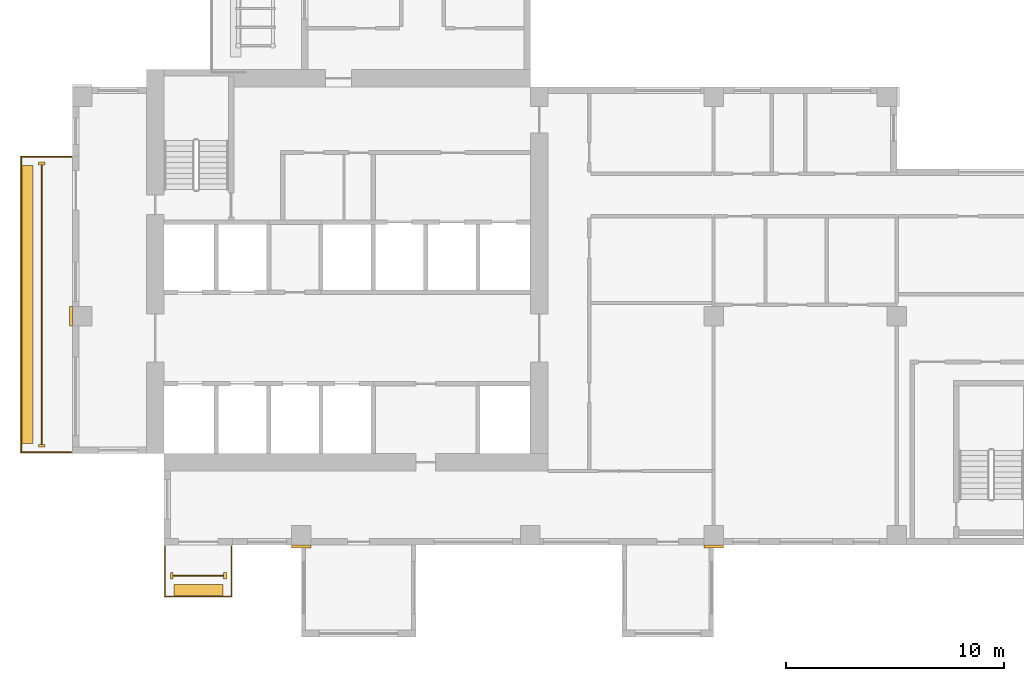
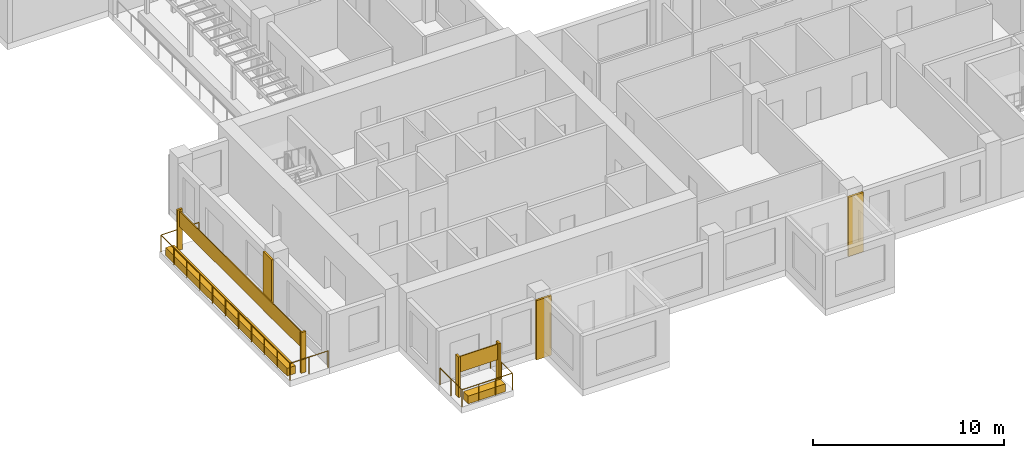
# One storey, part 11 of 14: 11 coverings, 2 railings.
"""IFC4 building model written with IfcOpenShell, lengths in metres."""

from ifc_helpers import new_model, si_unit, direction, frame, origin, origin_2d, place, context, subcontext, project, spatial, rectangle, circle, extrude, source, transform, mapped, material, type_object, element, save


model = new_model("IFC4")

# Units and contexts
model_context = context("Model", 3, precision=1e-05, world=origin(), true_north=direction((0.0, 1.0)))
body_context = subcontext(model_context, "Body", "Model", "MODEL_VIEW")
ifc_project = project(units=[si_unit("LENGTHUNIT", "METRE"), si_unit("AREAUNIT", "SQUARE_METRE"), si_unit("VOLUMEUNIT", "CUBIC_METRE"), si_unit("PLANEANGLEUNIT", "RADIAN"), si_unit("MASSUNIT", "GRAM", prefix="KILO")], contexts=[model_context])

# Site, building, storey
site_placement = place(None, origin())
site = spatial("IfcSite", under=ifc_project, at=site_placement, CompositionType="ELEMENT")
building_placement = place(site_placement, origin())
building = spatial("IfcBuilding", under=site, at=building_placement, Name="Aurelian Terraces", CompositionType="ELEMENT")
storey_placement = place(building_placement, frame((0.0, 0.0, 185.4)))
storey = spatial("IfcBuildingStorey", under=building, at=storey_placement, Name="L40", CompositionType="ELEMENT", Elevation=185.4)

# Coverings
ifc_material_1 = material(Name="Terracotta rainscreen cladding relief", Category="masonry")
covering_type_1 = type_object("IfcCoveringType", Name="FIN-TC", PredefinedType="CLADDING", material=ifc_material_1)
shared_shape_1 = source(origin(), body_context, "Body", "SweptSolid", [
    extrude(rectangle(XDim=0.3, YDim=0.12, at=origin_2d()), origin(), (0.0, 0.0, 1.0), 2.6),
])
for number, where, z_axis, x_axis, name in (
    (1, (-1.4, 17.5, 0.0), (0.0, 0.0, 1.0), (1.0, 0.0, 0.0), "FIN L40 L40-F22-39.1"),
    (2, (-1.4, 4.55, 0.0), (0.0, 0.0, 1.0), (1.0, 0.0, 0.0), "FIN L40 L40-F22-39.2"),
):
    element("IfcCovering", number, at=place(storey_placement, frame(where, z_axis=z_axis, x_axis=x_axis)), inside=storey, type_object=covering_type_1, Name=name, PredefinedType="CLADDING", context=body_context, shape_type="MappedRepresentation", body=[
        mapped(shared_shape_1, transform((0.0, 0.0, 0.0), scale=1.0)),
    ])
shared_shape_2 = source(origin(), body_context, "Body", "SweptSolid", [
    extrude(rectangle(XDim=0.12, YDim=0.3, at=origin_2d()), origin(), (0.0, 0.0, 1.0), 2.6),
])
for number, where, z_axis, x_axis, name in (
    (3, (4.55, -1.4, 0.0), (0.0, 0.0, 1.0), (1.0, 0.0, 0.0), "FIN L40 L40-F01-01.1"),
    (4, (7.0, -1.4, 0.0), (0.0, 0.0, 1.0), (1.0, 0.0, 0.0), "FIN L40 L40-F01-01.2"),
):
    element("IfcCovering", number, at=place(storey_placement, frame(where, z_axis=z_axis, x_axis=x_axis)), inside=storey, type_object=covering_type_1, Name=name, PredefinedType="CLADDING", context=body_context, shape_type="MappedRepresentation", body=[
        mapped(shared_shape_2, transform((0.0, 0.0, 0.0), scale=1.0)),
    ])

# Railing
ifc_material_2 = material(Name="Anodised aluminium", Category="aluminium")
railing_type = type_object("IfcRailingType", Name="GUARD-1100", PredefinedType="GUARDRAIL", material=ifc_material_2)
shared_shape_3 = source(origin(), body_context, "Body", "SweptSolid", [
    extrude(circle(Radius=0.024, at=origin_2d()), frame((0.0, 0.0, 1.076), z_axis=(-1.0, 0.0, 0.0), x_axis=(0.0, -1.0, 0.0)), (0.0, 0.0, 1.0), 2.3),
    extrude(circle(Radius=0.024, at=origin_2d()), frame((-2.3, 0.0, 1.076), z_axis=(0.0, -1.0, 0.0), x_axis=(1.0, 0.0, 0.0)), (0.0, 0.0, 1.0), 13.55),
    extrude(circle(Radius=0.024, at=origin_2d()), frame((-2.3, -13.55, 1.076), z_axis=(1.0, 0.0, 0.0), x_axis=(0.0, 1.0, 0.0)), (0.0, 0.0, 1.0), 2.3),
    extrude(circle(Radius=0.021, at=origin_2d()), origin(), (0.0, 0.0, 1.0), 1.052),
    extrude(circle(Radius=0.021, at=origin_2d()), frame((-1.15, 0.0, 0.0)), (0.0, 0.0, 1.0), 1.052),
    extrude(circle(Radius=0.021, at=origin_2d()), frame((-2.3, 0.0, 0.0)), (0.0, 0.0, 1.0), 1.052),
    extrude(circle(Radius=0.021, at=origin_2d()), frame((-2.3, -1.355, 0.0)), (0.0, 0.0, 1.0), 1.052),
    extrude(circle(Radius=0.021, at=origin_2d()), frame((-2.3, -2.71, 0.0)), (0.0, 0.0, 1.0), 1.052),
    extrude(circle(Radius=0.021, at=origin_2d()), frame((-2.3, -4.065, 0.0)), (0.0, 0.0, 1.0), 1.052),
    extrude(circle(Radius=0.021, at=origin_2d()), frame((-2.3, -5.42, 0.0)), (0.0, 0.0, 1.0), 1.052),
    extrude(circle(Radius=0.021, at=origin_2d()), frame((-2.3, -6.775, 0.0)), (0.0, 0.0, 1.0), 1.052),
    extrude(circle(Radius=0.021, at=origin_2d()), frame((-2.3, -8.13, 0.0)), (0.0, 0.0, 1.0), 1.052),
    extrude(circle(Radius=0.021, at=origin_2d()), frame((-2.3, -9.485, 0.0)), (0.0, 0.0, 1.0), 1.052),
    extrude(circle(Radius=0.021, at=origin_2d()), frame((-2.3, -10.84, 0.0)), (0.0, 0.0, 1.0), 1.052),
    extrude(circle(Radius=0.021, at=origin_2d()), frame((-2.3, -12.195, 0.0)), (0.0, 0.0, 1.0), 1.052),
    extrude(circle(Radius=0.021, at=origin_2d()), frame((-2.3, -13.55, 0.0)), (0.0, 0.0, 1.0), 1.052),
    extrude(circle(Radius=0.021, at=origin_2d()), frame((-1.15, -13.55, 0.0)), (0.0, 0.0, 1.0), 1.052),
    extrude(circle(Radius=0.021, at=origin_2d()), frame((0.0, -13.55, 0.0)), (0.0, 0.0, 1.0), 1.052),
])
railing_1_placement = place(storey_placement, frame((-0.05, 17.8, 0.0)))
element("IfcRailing", 5, at=railing_1_placement, inside=storey, type_object=railing_type, Name="Balcony guard L40 F22.39", PredefinedType="GUARDRAIL", context=body_context, shape_type="MappedRepresentation", body=[
    mapped(shared_shape_3, transform((0.0, 0.0, 0.0), scale=1.0)),
])

# Coverings
ifc_material_3 = material(Name="Terracotta planter with planting soil", Category="masonry")
covering_type_2 = type_object("IfcCoveringType", Name="PLANTER-TROUGH", PredefinedType="USERDEFINED", material=ifc_material_3)
shared_shape_4 = source(origin(), body_context, "Body", "SweptSolid", [
    extrude(rectangle(XDim=0.5, YDim=12.75, at=origin_2d()), origin(), (0.0, 0.0, 1.0), 0.5),
])
covering_1_placement = place(storey_placement, frame((-2.05, 11.025, 0.0), z_axis=(0.0, 0.0, 1.0), x_axis=(1.0, 0.0, 0.0)))
element("IfcCovering", 6, at=covering_1_placement, inside=storey, type_object=covering_type_2, Name="PLANTER L40 L40-F22-39", ObjectType="PLANTER", PredefinedType="USERDEFINED", context=body_context, shape_type="MappedRepresentation", body=[
    mapped(shared_shape_4, transform((0.0, 0.0, 0.0), scale=1.0)),
])
ifc_material_4 = material(Name="Terracotta rainscreen cladding", Category="masonry")
covering_type_3 = type_object("IfcCoveringType", Name="SCREEN-TC", PredefinedType="CLADDING", material=ifc_material_4)
shared_shape_5 = source(origin(), body_context, "Body", "SweptSolid", [
    extrude(rectangle(XDim=0.06, YDim=12.83, at=origin_2d()), origin(), (0.0, 0.0, 1.0), 1.0),
])
covering_2_placement = place(storey_placement, frame((-1.4, 11.025, 1.5), z_axis=(0.0, 0.0, 1.0), x_axis=(1.0, 0.0, 0.0)))
element("IfcCovering", 7, at=covering_2_placement, inside=storey, type_object=covering_type_3, Name="SCREEN L40 L40-F22-39", PredefinedType="CLADDING", context=body_context, shape_type="MappedRepresentation", body=[
    mapped(shared_shape_5, transform((0.0, 0.0, 0.0), scale=1.0)),
])
covering_type_4 = type_object("IfcCoveringType", Name="BAGUETTE-TC", PredefinedType="CLADDING", material=ifc_material_1)
shared_shape_6 = source(origin(), body_context, "Body", "SweptSolid", [
    extrude(rectangle(XDim=0.9, YDim=0.12, at=origin_2d()), origin(), (0.0, 0.0, 1.0), 3.8),
])
for number, where, z_axis, x_axis, name in (
    (8, (10.5, -0.06, -0.4), (0.0, 0.0, 1.0), (1.0, 0.0, 0.0), "BAGUETTE pier L40 1"),
    (9, (29.4, -0.06, -0.4), (0.0, 0.0, 1.0), (1.0, 0.0, 0.0), "BAGUETTE pier L40 2"),
):
    element("IfcCovering", number, at=place(storey_placement, frame(where, z_axis=z_axis, x_axis=x_axis)), inside=storey, type_object=covering_type_4, Name=name, PredefinedType="CLADDING", context=body_context, shape_type="MappedRepresentation", body=[
        mapped(shared_shape_6, transform((0.0, 0.0, 0.0), scale=1.0)),
    ])
shared_shape_7 = source(origin(), body_context, "Body", "SweptSolid", [
    extrude(rectangle(XDim=0.12, YDim=0.9, at=origin_2d()), origin(), (0.0, 0.0, 1.0), 3.8),
])
covering_3_placement = place(storey_placement, frame((-0.06, 10.5, -0.4), z_axis=(0.0, 0.0, 1.0), x_axis=(1.0, 0.0, 0.0)))
element("IfcCovering", 10, at=covering_3_placement, inside=storey, type_object=covering_type_4, Name="BAGUETTE pier L40 4", PredefinedType="CLADDING", context=body_context, shape_type="MappedRepresentation", body=[
    mapped(shared_shape_7, transform((0.0, 0.0, 0.0), scale=1.0)),
])

# Railing
shared_shape_8 = source(origin(), body_context, "Body", "SweptSolid", [
    extrude(circle(Radius=0.024, at=origin_2d()), frame((0.0, 0.0, 1.076), z_axis=(0.0, -1.0, 0.0), x_axis=(1.0, 0.0, 0.0)), (0.0, 0.0, 1.0), 2.3),
    extrude(circle(Radius=0.024, at=origin_2d()), frame((0.0, -2.3, 1.076), z_axis=(1.0, 0.0, 0.0), x_axis=(0.0, 1.0, 0.0)), (0.0, 0.0, 1.0), 3.05),
    extrude(circle(Radius=0.024, at=origin_2d()), frame((3.05, -2.3, 1.076), z_axis=(0.0, 1.0, 0.0), x_axis=(-1.0, 0.0, 0.0)), (0.0, 0.0, 1.0), 2.3),
    extrude(circle(Radius=0.021, at=origin_2d()), origin(), (0.0, 0.0, 1.0), 1.052),
    extrude(circle(Radius=0.021, at=origin_2d()), frame((0.0, -1.15, 0.0)), (0.0, 0.0, 1.0), 1.052),
    extrude(circle(Radius=0.021, at=origin_2d()), frame((0.0, -2.3, 0.0)), (0.0, 0.0, 1.0), 1.052),
    extrude(circle(Radius=0.021, at=origin_2d()), frame((1.0167, -2.3, 0.0)), (0.0, 0.0, 1.0), 1.052),
    extrude(circle(Radius=0.021, at=origin_2d()), frame((2.0333, -2.3, 0.0)), (0.0, 0.0, 1.0), 1.052),
    extrude(circle(Radius=0.021, at=origin_2d()), frame((3.05, -2.3, 0.0)), (0.0, 0.0, 1.0), 1.052),
    extrude(circle(Radius=0.021, at=origin_2d()), frame((3.05, -1.15, 0.0)), (0.0, 0.0, 1.0), 1.052),
    extrude(circle(Radius=0.021, at=origin_2d()), frame((3.05, 0.0, 0.0)), (0.0, 0.0, 1.0), 1.052),
])
railing_2_placement = place(storey_placement, frame((4.25, -0.05, 0.0)))
element("IfcRailing", 11, at=railing_2_placement, inside=storey, type_object=railing_type, Name="Balcony guard L40 F01.1", PredefinedType="GUARDRAIL", context=body_context, shape_type="MappedRepresentation", body=[
    mapped(shared_shape_8, transform((0.0, 0.0, 0.0), scale=1.0)),
])

# Coverings
shared_shape_9 = source(origin(), body_context, "Body", "SweptSolid", [
    extrude(rectangle(XDim=2.25, YDim=0.5, at=origin_2d()), origin(), (0.0, 0.0, 1.0), 0.5),
])
covering_4_placement = place(storey_placement, frame((5.775, -2.05, 0.0), z_axis=(0.0, 0.0, 1.0), x_axis=(1.0, 0.0, 0.0)))
element("IfcCovering", 12, at=covering_4_placement, inside=storey, type_object=covering_type_2, Name="PLANTER L40 L40-F01-01", ObjectType="PLANTER", PredefinedType="USERDEFINED", context=body_context, shape_type="MappedRepresentation", body=[
    mapped(shared_shape_9, transform((0.0, 0.0, 0.0), scale=1.0)),
])
shared_shape_10 = source(origin(), body_context, "Body", "SweptSolid", [
    extrude(rectangle(XDim=2.33, YDim=0.06, at=origin_2d()), origin(), (0.0, 0.0, 1.0), 1.0),
])
covering_5_placement = place(storey_placement, frame((5.775, -1.4, 1.5), z_axis=(0.0, 0.0, 1.0), x_axis=(1.0, 0.0, 0.0)))
element("IfcCovering", 13, at=covering_5_placement, inside=storey, type_object=covering_type_3, Name="SCREEN L40 L40-F01-01", PredefinedType="CLADDING", context=body_context, shape_type="MappedRepresentation", body=[
    mapped(shared_shape_10, transform((0.0, 0.0, 0.0), scale=1.0)),
])

save(model, "model.ifc")
